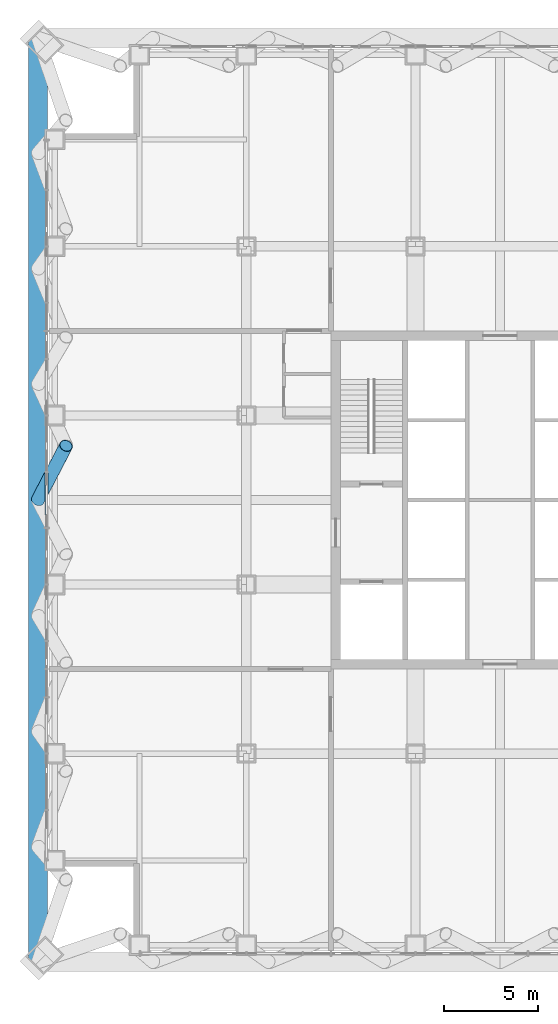
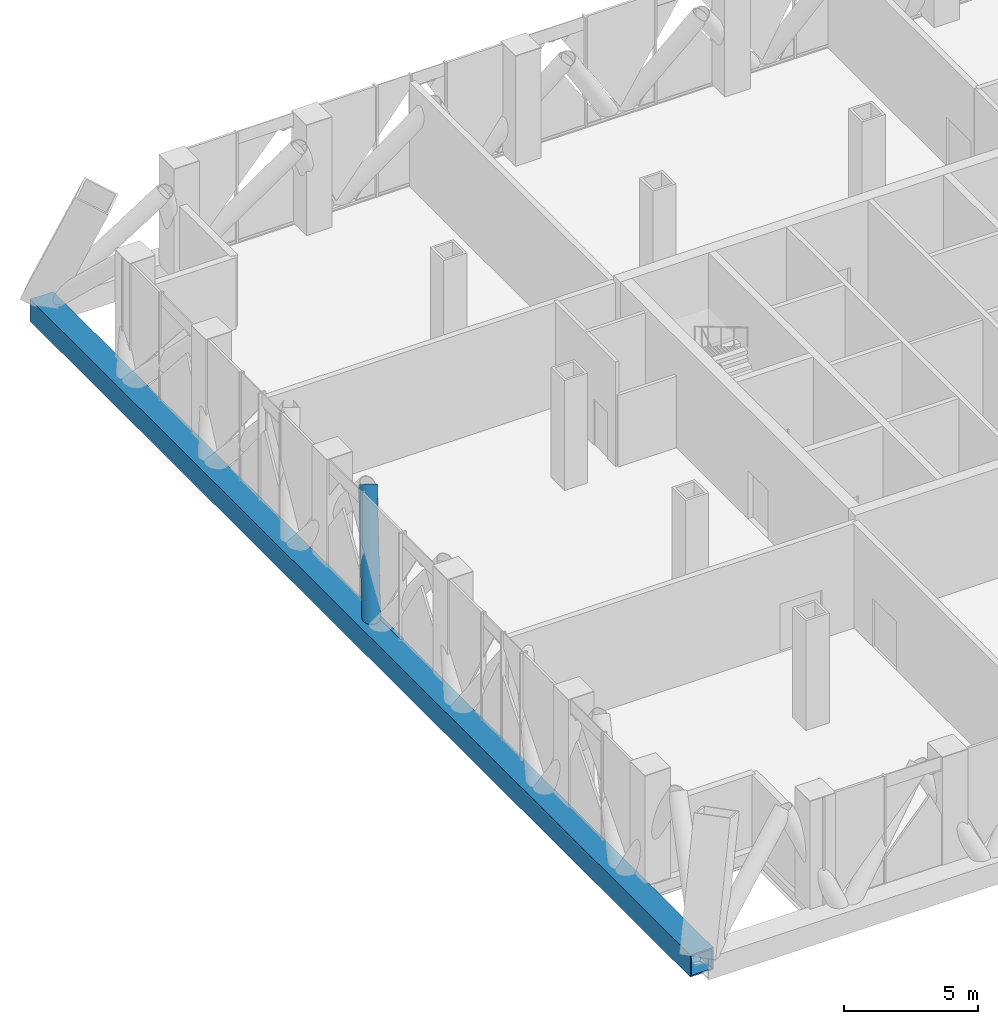
# One storey, part 5 of 29: 3 members, 1 element without a shape of its own.
"""IFC4 building model written with IfcOpenShell, lengths in metres."""

from ifc_helpers import new_model, si_unit, direction, frame, origin, origin_2d, place, context, subcontext, project, spatial, rectangle, hollow_rectangle, hollow_circle, extrude, material, layer, layer_set, material_profile, profile_set, type_object, element, aggregate, save


model = new_model("IFC4")

# Units and contexts
model_context = context("Model", 3, precision=1e-05, world=origin(), true_north=direction((0.0, 1.0)))
body_context = subcontext(model_context, "Body", "Model", "MODEL_VIEW")
ifc_project = project(units=[si_unit("LENGTHUNIT", "METRE"), si_unit("AREAUNIT", "SQUARE_METRE"), si_unit("VOLUMEUNIT", "CUBIC_METRE"), si_unit("PLANEANGLEUNIT", "RADIAN"), si_unit("MASSUNIT", "GRAM", prefix="KILO")], contexts=[model_context])

# Site, building, storey
site_placement = place(None, origin())
site = spatial("IfcSite", under=ifc_project, at=site_placement, CompositionType="ELEMENT")
building_placement = place(site_placement, origin())
building = spatial("IfcBuilding", under=site, at=building_placement, Name="Malebo Sky Hospital", CompositionType="ELEMENT")
storey_placement = place(building_placement, frame((0.0, 0.0, 172.0)))
storey = spatial("IfcBuildingStorey", under=building, at=storey_placement, Name="L41", CompositionType="ELEMENT", Elevation=172.0)

# Curtain wall, member
ifc_material_1 = material(Name="Anodised aluminium, natural silver", Category="aluminium")
ifc_layer = layer(ifc_material_1, 0.25)
ifc_layer_set = layer_set([ifc_layer], Name="PLANT LOUVRE SCREEN")
curtain_wall_type = type_object("IfcCurtainWallType", Name="PLANT LOUVRE SCREEN", PredefinedType="NOTDEFINED", material=ifc_layer_set)
curtain_wall_placement = place(storey_placement, origin())
curtain_wall = element("IfcCurtainWall", 1, at=curtain_wall_placement, inside=storey, type_object=curtain_wall_type, Name="PLANT curtain wall W", PredefinedType="NOTDEFINED")
ifc_material_profile_1 = material_profile(ifc_material_1, rectangle(XDim=0.14990234375, YDim=0.10009765625, at=origin_2d()), Name="ALUMINIUM TRANSOM 150x100")
ifc_profile_set_1 = profile_set([ifc_material_profile_1], Name="Anodised aluminium, natural silver")
member_type_1 = type_object("IfcMemberType", Name="ALUMINIUM TRANSOM 150x100", PredefinedType="USERDEFINED", material=ifc_profile_set_1)
member_1_placement = place(storey_placement, frame((35.864990234375, 60.53759765625, 0.050048828125), z_axis=(0.0, 1.0, 0.0), x_axis=(-1.0, 0.0, 0.0)))
member_1 = element("IfcMember", 2, at=member_1_placement, type_object=member_type_1, Name="Transom 8", ObjectType="TRANSOM", PredefinedType="USERDEFINED", context=body_context, shape_type="SweptSolid", body=[
    extrude(rectangle(XDim=0.14990234375, YDim=0.10009765625, at=origin_2d()), origin(), (0.0, 0.0, 1.0), 2.9248046875),
])
aggregate(curtain_wall, [member_1])

# Members
ifc_material_2 = material(Name="Steel S460", Category="steel")
ifc_material_profile_2 = material_profile(ifc_material_2, hollow_circle(Radius=0.35546875, WallThickness=0.02490234375, at=origin_2d()), Name="CHS 711x25")
ifc_profile_set_2 = profile_set([ifc_material_profile_2], Name="Steel S460")
member_type_2 = type_object("IfcMemberType", Name="BELT TRUSS DIAGONAL CHS 711x25", PredefinedType="BRACE", material=ifc_profile_set_2)
member_2_placement = place(storey_placement, frame((36.89990234375, 64.887451171875, 4.14990234375), z_axis=(-0.268164746883, -0.516208408429, -0.813398148262), x_axis=(0.887402230287, -0.460995967099, 0.0)))
element("IfcMember", 3, at=member_2_placement, inside=storey, type_object=member_type_2, Name="Belt truss diagonal W4.2 L41", PredefinedType="BRACE", context=body_context, shape_type="SweptSolid", body=[
    extrude(hollow_circle(Radius=0.35546875, WallThickness=0.02490234375, at=origin_2d()), origin(), (0.0, 0.0, 1.0), 5.593505859375),
])
ifc_material_profile_3 = material_profile(ifc_material_2, hollow_rectangle(XDim=1.0, YDim=1.0, WallThickness=0.06005859375, at=origin_2d()), Name="BOX 1000x1000x60")
ifc_profile_set_3 = profile_set([ifc_material_profile_3], Name="Steel S460")
member_type_3 = type_object("IfcMemberType", Name="MEGA TIE BOX 1000x1000x60", PredefinedType="CHORD", material=ifc_profile_set_3)
member_3_placement = place(storey_placement, frame((35.39990234375, 86.60009765625, -0.39990234375), z_axis=(0.0, -1.0, 0.0), x_axis=(1.0, 0.0, 0.0)))
element("IfcMember", 4, at=member_3_placement, inside=storey, type_object=member_type_3, Name="Mega tie BW L41", PredefinedType="CHORD", context=body_context, shape_type="SweptSolid", body=[
    extrude(hollow_rectangle(XDim=1.0, YDim=1.0, WallThickness=0.06005859375, at=origin_2d()), origin(), (0.0, 0.0, 1.0), 49.2001953125),
])

save(model, "model.ifc")
